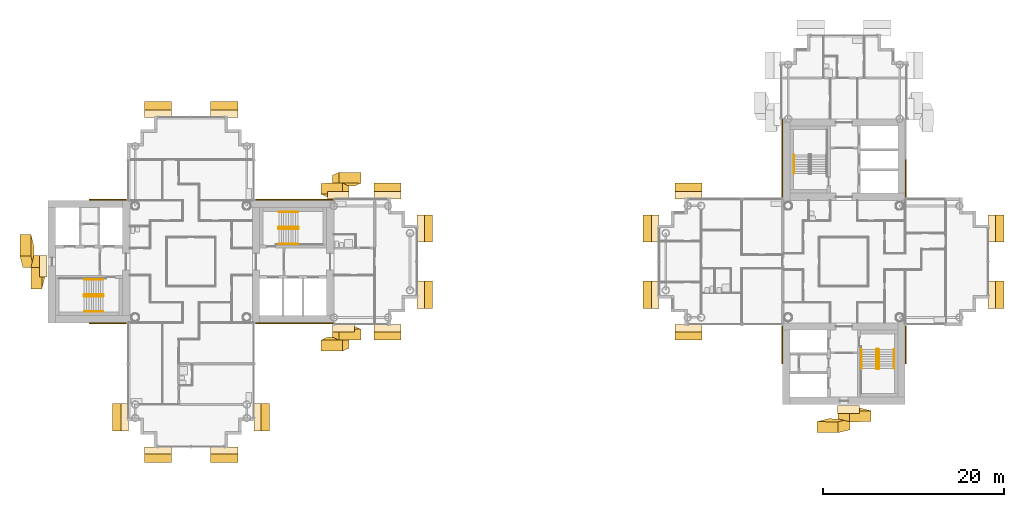
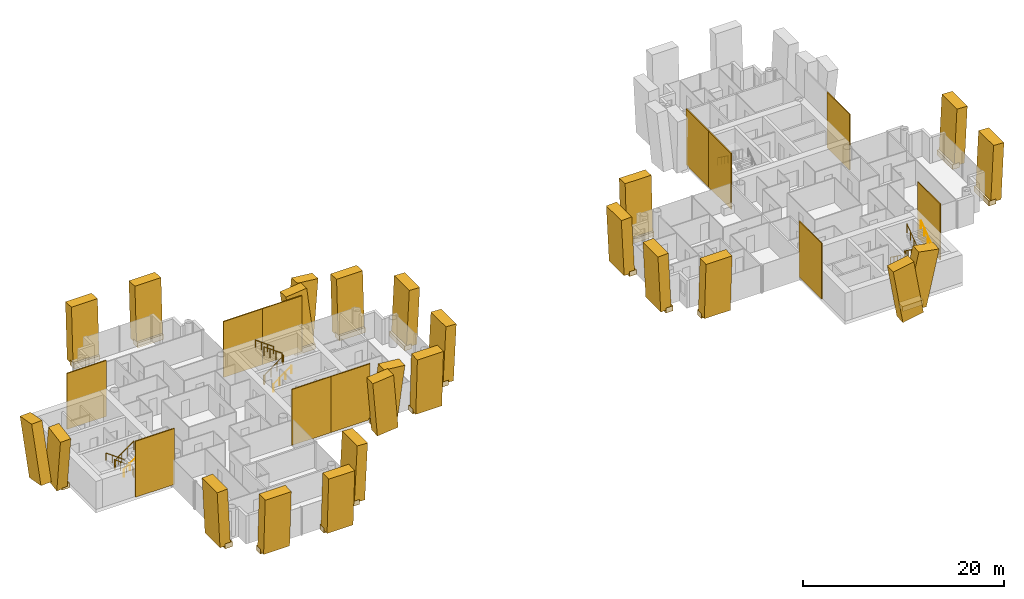
# One storey, part 17 of 19: 55 coverings, 10 railings.
"""IFC4 building model written with IfcOpenShell, lengths in metres."""

from ifc_helpers import new_model, si_unit, direction, frame, origin, origin_2d, place, context, subcontext, project, spatial, rectangle, circle, extrude, material, layer, layer_set, material_profile, profile_set, type_object, element, save


model = new_model("IFC4")

# Units and contexts
model_context = context("Model", 3, precision=1e-05, world=origin(), true_north=direction((0.0, 1.0)))
body_context = subcontext(model_context, "Body", "Model", "MODEL_VIEW")
ifc_project = project(units=[si_unit("LENGTHUNIT", "METRE"), si_unit("AREAUNIT", "SQUARE_METRE"), si_unit("VOLUMEUNIT", "CUBIC_METRE"), si_unit("PLANEANGLEUNIT", "RADIAN"), si_unit("MASSUNIT", "GRAM", prefix="KILO")], contexts=[model_context])

# Site, building, storey
site_placement = place(None, origin())
site = spatial("IfcSite", under=ifc_project, at=site_placement, CompositionType="ELEMENT")
building_placement = place(site_placement, origin())
building = spatial("IfcBuilding", under=site, at=building_placement, Name="Ipe Terrace Towers", CompositionType="ELEMENT")
storey_placement = place(building_placement, frame((0.0, 0.0, 157.5)))
storey = spatial("IfcBuildingStorey", under=building, at=storey_placement, Name="L43", CompositionType="ELEMENT", Elevation=157.5)

# Coverings
ifc_material_1 = material(Name="Concrete C50/60 precast, buff finish", Category="concrete")
ifc_layer = layer(ifc_material_1, 0.1201171875)
ifc_layer_set = layer_set([ifc_layer], Name="STONE CORE CLADDING 120")
covering_type_1 = type_object("IfcCoveringType", Name="STONE CORE CLADDING 120", PredefinedType="CLADDING", material=ifc_layer_set)
for number, where, z_axis, x_axis, name in (
    (1, (-45.0, -6.81005859375, 0.0), (0.0, 0.0, 1.0), (1.0, 0.0, 0.0), "stone core cladding"),
    (2, (-45.0, 6.81005859375, 0.0), (0.0, 0.0, 1.0), (-1.0, 0.0, 0.0), "stone core cladding"),
    (3, (-27.0, -6.81005859375, 0.0), (0.0, 0.0, 1.0), (1.0, 0.0, 0.0), "stone core cladding"),
):
    element("IfcCovering", number, at=place(storey_placement, frame(where, z_axis=z_axis, x_axis=x_axis)), inside=storey, type_object=covering_type_1, Name=name, PredefinedType="CLADDING", context=body_context, shape_type="SweptSolid", body=[
        extrude(rectangle(XDim=4.5, YDim=0.1201171875, at=origin_2d()), origin(), (0.0, 0.0, 1.0), 6.800048828125),
    ])
covering_1_placement = place(storey_placement, frame((-22.4990234375, -6.81005859375, 0.0), z_axis=(0.0, 0.0, 1.0), x_axis=(1.0, 0.0, 0.0)))
element("IfcCovering", 4, at=covering_1_placement, inside=storey, type_object=covering_type_1, Name="stone core cladding", PredefinedType="CLADDING", context=body_context, shape_type="SweptSolid", body=[
    extrude(rectangle(XDim=4.5009765625, YDim=0.1201171875, at=origin_2d()), origin(), (0.0, 0.0, 1.0), 6.800048828125),
])
covering_2_placement = place(storey_placement, frame((-27.0, 6.81005859375, 0.0), z_axis=(0.0, 0.0, 1.0), x_axis=(-1.0, 0.0, 0.0)))
element("IfcCovering", 5, at=covering_2_placement, inside=storey, type_object=covering_type_1, Name="stone core cladding", PredefinedType="CLADDING", context=body_context, shape_type="SweptSolid", body=[
    extrude(rectangle(XDim=4.5, YDim=0.1201171875, at=origin_2d()), origin(), (0.0, 0.0, 1.0), 6.800048828125),
])
covering_3_placement = place(storey_placement, frame((-22.4990234375, 6.81005859375, 0.0), z_axis=(0.0, 0.0, 1.0), x_axis=(-1.0, 0.0, 0.0)))
element("IfcCovering", 6, at=covering_3_placement, inside=storey, type_object=covering_type_1, Name="stone core cladding", PredefinedType="CLADDING", context=body_context, shape_type="SweptSolid", body=[
    extrude(rectangle(XDim=4.5009765625, YDim=0.1201171875, at=origin_2d()), origin(), (0.0, 0.0, 1.0), 6.800048828125),
])
for number, where, z_axis, x_axis, name in (
    (7, (29.18994140625, -9.0, 0.0), (0.0, 0.0, 1.0), (0.0, -1.0, 0.0), "stone core cladding"),
    (8, (29.18994140625, 9.0, 0.0), (0.0, 0.0, 1.0), (0.0, -1.0, 0.0), "stone core cladding"),
):
    element("IfcCovering", number, at=place(storey_placement, frame(where, z_axis=z_axis, x_axis=x_axis)), inside=storey, type_object=covering_type_1, Name=name, PredefinedType="CLADDING", context=body_context, shape_type="SweptSolid", body=[
        extrude(rectangle(XDim=4.5, YDim=0.1201171875, at=origin_2d()), origin(), (0.0, 0.0, 1.0), 6.800048828125),
    ])
covering_4_placement = place(storey_placement, frame((29.18994140625, 13.5, 0.0), z_axis=(0.0, 0.0, 1.0), x_axis=(0.0, -1.0, 0.0)))
element("IfcCovering", 9, at=covering_4_placement, inside=storey, type_object=covering_type_1, Name="stone core cladding", PredefinedType="CLADDING", context=body_context, shape_type="SweptSolid", body=[
    extrude(rectangle(XDim=4.5009765625, YDim=0.1201171875, at=origin_2d()), origin(), (0.0, 0.0, 1.0), 6.800048828125),
])
for number, where, z_axis, x_axis, name in (
    (10, (42.81005859375, -9.0, 0.0), (0.0, 0.0, 1.0), (0.0, 1.0, 0.0), "stone core cladding"),
    (11, (42.81005859375, 9.0, 0.0), (0.0, 0.0, 1.0), (0.0, 1.0, 0.0), "stone core cladding"),
):
    element("IfcCovering", number, at=place(storey_placement, frame(where, z_axis=z_axis, x_axis=x_axis)), inside=storey, type_object=covering_type_1, Name=name, PredefinedType="CLADDING", context=body_context, shape_type="SweptSolid", body=[
        extrude(rectangle(XDim=4.5, YDim=0.1201171875, at=origin_2d()), origin(), (0.0, 0.0, 1.0), 6.800048828125),
    ])
ifc_material_2 = material(Name="Concrete C50/60 precast, buff finish", Category="concrete")
ifc_material_profile_1 = material_profile(ifc_material_2, rectangle(XDim=2.39990234375, YDim=1.199951171875, at=origin_2d()), Name="STONE FIN 2400 x 1200")
ifc_profile_set_1 = profile_set([ifc_material_profile_1], Name="Concrete C50/60 precast, buff finish")
covering_type_2 = type_object("IfcCoveringType", Name="STONE FIN 2400 x 1200", PredefinedType="USERDEFINED", material=ifc_profile_set_1)
for number, where, z_axis, x_axis, name in (
    (12, (-19.759033203125, -8.927978515625, 0.0), (-0.105028312998, -0.047610457675, 0.993328897087), (0.994469232037, -0.005028256175, 0.104907879451), "stone fin"),
    (13, (-19.759033203125, 7.72802734375, 0.0), (-0.105028312998, 0.047610457675, 0.993328897087), (-0.994469232037, -0.005028256175, -0.104907879451), "stone fin"),
    (14, (-19.19091796875, -7.72802734375, 0.0), (0.105028312998, -0.047610457675, 0.993328897087), (0.994469232037, 0.005028256175, -0.104907879451), "stone fin"),
    (15, (-19.19091796875, 8.927978515625, 0.0), (0.105028312998, 0.047610457675, 0.993328897087), (-0.994469232037, 0.005028256175, 0.104907879451), "stone fin"),
):
    element("IfcCovering", number, at=place(storey_placement, frame(where, z_axis=z_axis, x_axis=x_axis)), inside=storey, type_object=covering_type_2, Name=name, ObjectType="FIN", PredefinedType="USERDEFINED", context=body_context, shape_type="SweptSolid", body=[
        extrude(rectangle(XDim=2.39990234375, YDim=1.199951171875, at=origin_2d()), origin(), (0.0, 0.0, 1.0), 6.845703125),
    ])
for number, where, z_axis, x_axis, name in (
    (16, (-53.927978515625, 0.513916015625, 0.0), (-0.047025485632, 0.187573566283, 0.98112423318), (-0.008980130363, -0.982250557257, 0.187358479997), "stone fin"),
    (17, (-52.72802734375, -0.513916015625, 0.0), (-0.047025485632, -0.187573566283, 0.98112423318), (0.008980130363, -0.982250557257, -0.187358479997), "stone fin"),
    (18, (36.513916015625, -16.72802734375, 0.0), (0.187573566283, -0.047025485632, 0.98112423318), (0.982250557257, 0.008980130363, -0.187358479997), "stone fin"),
    (19, (35.486083984375, -17.927978515625, 0.0), (-0.187573566283, -0.047025485632, 0.98112423318), (0.982250557257, -0.008980130363, 0.187358479997), "stone fin"),
):
    element("IfcCovering", number, at=place(storey_placement, frame(where, z_axis=z_axis, x_axis=x_axis)), inside=storey, type_object=covering_type_2, Name=name, ObjectType="FIN", PredefinedType="USERDEFINED", context=body_context, shape_type="SweptSolid", body=[
        extrude(rectangle(XDim=2.39990234375, YDim=1.199951171875, at=origin_2d()), origin(), (0.0, 0.0, 1.0), 6.930908203125),
    ])
ifc_material_3 = material(Name="Concrete C50/60 precast, buff finish", Category="concrete")
ifc_material_profile_2 = material_profile(ifc_material_3, rectangle(XDim=3.0, YDim=1.199951171875, at=origin_2d()), Name="STONE FIN CORNER 3000 x 1200")
ifc_profile_set_2 = profile_set([ifc_material_profile_2], Name="Concrete C50/60 precast, buff finish")
covering_type_3 = type_object("IfcCoveringType", Name="STONE FIN CORNER 3000 x 1200", PredefinedType="USERDEFINED", material=ifc_profile_set_2)
for number, where, z_axis, x_axis, name in (
    (20, (-10.27197265625, -3.64990234375, 0.0), (0.047875244543, 0.0, 0.998853323046), (0.0, 1.0, 0.0), "stone fin"),
    (21, (-10.27197265625, 3.64990234375, 0.0), (0.047875244543, 0.0, 0.998853323046), (0.0, 1.0, 0.0), "stone fin"),
    (22, (-14.35009765625, -7.72802734375, 0.0), (0.0, -0.047875244543, 0.998853323046), (1.0, 0.0, 0.0), "stone fin"),
    (23, (-14.35009765625, 7.72802734375, 0.0), (0.0, 0.047875244543, 0.998853323046), (-1.0, 0.0, 0.0), "stone fin"),
    (24, (-28.27197265625, -17.14990234375, 0.0), (0.047875244543, 0.0, 0.998853323046), (0.0, 1.0, 0.0), "stone fin"),
    (25, (-32.35009765625, -21.22802734375, 0.0), (0.0, -0.047875244543, 0.998853323046), (1.0, 0.0, 0.0), "stone fin"),
    (26, (-32.35009765625, 16.72802734375, 0.0), (0.0, 0.047875244543, 0.998853323046), (-1.0, 0.0, 0.0), "stone fin"),
    (27, (-39.64990234375, -21.22802734375, 0.0), (0.0, -0.047875244543, 0.998853323046), (1.0, 0.0, 0.0), "stone fin"),
    (28, (-39.64990234375, 16.72802734375, 0.0), (0.0, 0.047875244543, 0.998853323046), (-1.0, 0.0, 0.0), "stone fin"),
    (29, (-43.72802734375, -17.14990234375, 0.0), (-0.047875244543, 0.0, 0.998853323046), (0.0, -1.0, 0.0), "stone fin"),
    (30, (14.77197265625, -3.64990234375, 0.0), (-0.047875244543, 0.0, 0.998853323046), (0.0, -1.0, 0.0), "stone fin"),
    (31, (14.77197265625, 3.64990234375, 0.0), (-0.047875244543, 0.0, 0.998853323046), (0.0, -1.0, 0.0), "stone fin"),
    (32, (18.85009765625, -7.72802734375, 0.0), (0.0, -0.047875244543, 0.998853323046), (1.0, 0.0, 0.0), "stone fin"),
    (33, (18.85009765625, 7.72802734375, 0.0), (0.0, 0.047875244543, 0.998853323046), (-1.0, 0.0, 0.0), "stone fin"),
    (34, (52.72802734375, -3.64990234375, 0.0), (0.047875244543, 0.0, 0.998853323046), (0.0, 1.0, 0.0), "stone fin"),
    (35, (52.72802734375, 3.64990234375, 0.0), (0.047875244543, 0.0, 0.998853323046), (0.0, 1.0, 0.0), "stone fin"),
):
    element("IfcCovering", number, at=place(storey_placement, frame(where, z_axis=z_axis, x_axis=x_axis)), inside=storey, type_object=covering_type_3, Name=name, ObjectType="FIN", PredefinedType="USERDEFINED", context=body_context, shape_type="SweptSolid", body=[
        extrude(rectangle(XDim=3.0, YDim=1.199951171875, at=origin_2d()), origin(), (0.0, 0.0, 1.0), 6.807861328125),
    ])
ifc_material_4 = material(Name="Concrete C50/60 precast, buff finish", Category="concrete")
covering_type_4 = type_object("IfcCoveringType", Name="STONE FIN SHELF 2400 x 600", PredefinedType="CLADDING", material=ifc_material_4)
for number, where, z_axis, x_axis, name in (
    (36, (-19.759033203125, 7.322021484375, -0.35009765625), (0.0, 0.0, 1.0), (-1.0, 0.0, 0.0), "stone fin shelf"),
    (37, (-19.19091796875, -7.322021484375, -0.35009765625), (0.0, 0.0, 1.0), (1.0, 0.0, 0.0), "stone fin shelf"),
):
    element("IfcCovering", number, at=place(storey_placement, frame(where, z_axis=z_axis, x_axis=x_axis)), inside=storey, type_object=covering_type_4, Name=name, PredefinedType="CLADDING", context=body_context, shape_type="SweptSolid", body=[
        extrude(rectangle(XDim=2.39990234375, YDim=0.81201171875, at=origin_2d()), origin(), (0.0, 0.0, 1.0), 0.60009765625),
    ])
for number, where, z_axis, x_axis, name in (
    (38, (-52.2939453125, -0.513916015625, -0.35009765625), (0.0, 0.0, 1.0), (0.0, -1.0, 0.0), "stone fin shelf"),
    (39, (36.513916015625, -16.2939453125, -0.35009765625), (0.0, 0.0, 1.0), (1.0, 0.0, 0.0), "stone fin shelf"),
):
    element("IfcCovering", number, at=place(storey_placement, frame(where, z_axis=z_axis, x_axis=x_axis)), inside=storey, type_object=covering_type_4, Name=name, PredefinedType="CLADDING", context=body_context, shape_type="SweptSolid", body=[
        extrude(rectangle(XDim=2.39990234375, YDim=0.867919921875, at=origin_2d()), origin(), (0.0, 0.0, 1.0), 0.60009765625),
    ])
ifc_material_5 = material(Name="Concrete C50/60 precast, buff finish", Category="concrete")
covering_type_5 = type_object("IfcCoveringType", Name="STONE FIN SHELF 3000 x 600", PredefinedType="CLADDING", material=ifc_material_5)
for number, where, z_axis, x_axis, name in (
    (40, (-10.677978515625, -3.64990234375, -0.35009765625), (0.0, 0.0, 1.0), (0.0, 1.0, 0.0), "stone fin shelf"),
    (41, (-10.677978515625, 3.64990234375, -0.35009765625), (0.0, 0.0, 1.0), (0.0, 1.0, 0.0), "stone fin shelf"),
    (42, (-14.35009765625, -7.322021484375, -0.35009765625), (0.0, 0.0, 1.0), (1.0, 0.0, 0.0), "stone fin shelf"),
    (43, (-14.35009765625, 7.322021484375, -0.35009765625), (0.0, 0.0, 1.0), (-1.0, 0.0, 0.0), "stone fin shelf"),
    (44, (-28.677978515625, -17.14990234375, -0.35009765625), (0.0, 0.0, 1.0), (0.0, 1.0, 0.0), "stone fin shelf"),
    (45, (-32.35009765625, -20.822021484375, -0.35009765625), (0.0, 0.0, 1.0), (1.0, 0.0, 0.0), "stone fin shelf"),
    (46, (-32.35009765625, 16.322021484375, -0.35009765625), (0.0, 0.0, 1.0), (-1.0, 0.0, 0.0), "stone fin shelf"),
    (47, (-39.64990234375, -20.822021484375, -0.35009765625), (0.0, 0.0, 1.0), (1.0, 0.0, 0.0), "stone fin shelf"),
    (48, (-39.64990234375, 16.322021484375, -0.35009765625), (0.0, 0.0, 1.0), (-1.0, 0.0, 0.0), "stone fin shelf"),
    (49, (-43.322021484375, -17.14990234375, -0.35009765625), (0.0, 0.0, 1.0), (0.0, -1.0, 0.0), "stone fin shelf"),
    (50, (15.177978515625, -3.64990234375, -0.35009765625), (0.0, 0.0, 1.0), (0.0, -1.0, 0.0), "stone fin shelf"),
    (51, (15.177978515625, 3.64990234375, -0.35009765625), (0.0, 0.0, 1.0), (0.0, -1.0, 0.0), "stone fin shelf"),
    (52, (18.85009765625, -7.322021484375, -0.35009765625), (0.0, 0.0, 1.0), (1.0, 0.0, 0.0), "stone fin shelf"),
    (53, (18.85009765625, 7.322021484375, -0.35009765625), (0.0, 0.0, 1.0), (-1.0, 0.0, 0.0), "stone fin shelf"),
    (54, (52.322021484375, -3.64990234375, -0.35009765625), (0.0, 0.0, 1.0), (0.0, 1.0, 0.0), "stone fin shelf"),
    (55, (52.322021484375, 3.64990234375, -0.35009765625), (0.0, 0.0, 1.0), (0.0, 1.0, 0.0), "stone fin shelf"),
):
    element("IfcCovering", number, at=place(storey_placement, frame(where, z_axis=z_axis, x_axis=x_axis)), inside=storey, type_object=covering_type_5, Name=name, PredefinedType="CLADDING", context=body_context, shape_type="SweptSolid", body=[
        extrude(rectangle(XDim=3.0, YDim=0.81201171875, at=origin_2d()), origin(), (0.0, 0.0, 1.0), 0.60009765625),
    ])

# Railings
ifc_material_6 = material(Name="Steel S355", Category="steel")
railing_type_1 = type_object("IfcRailingType", Name="Stair guard 1100", PredefinedType="GUARDRAIL", material=ifc_material_6)
railing_1_placement = place(storey_placement, frame((-26.35009765625, 3.800048828125, 0.0)))
element("IfcRailing", 56, at=railing_1_placement, inside=storey, type_object=railing_type_1, Name="L43 T1-ST1 stair guard 1", PredefinedType="GUARDRAIL", context=body_context, shape_type="SweptSolid", body=[
    extrude(circle(Radius=0.02392578125, at=origin_2d()), frame((0.0, 0.0, 1.076171875), z_axis=(0.0, -1.0, 0.0), x_axis=(1.0, 0.0, 0.0)), (0.0, 0.0, 1.0), 0.150146484375),
    extrude(circle(Radius=0.02392578125, at=origin_2d()), frame((0.0, -0.150146484375, 1.076171875), z_axis=(0.248103849378, -0.246893586699, 0.936743314239), x_axis=(0.705375805398, 0.708833529934, 0.0)), (0.0, 0.0, 1.0), 0.20166015625),
    extrude(circle(Radius=0.02392578125, at=origin_2d()), frame((0.050048828125, -0.199951171875, 1.26513671875), z_axis=(0.809068575486, 0.0, 0.587714250432), x_axis=(0.0, 1.0, 0.0)), (0.0, 0.0, 1.0), 2.571044921875),
    extrude(circle(Radius=0.02392578125, at=origin_2d()), frame((2.130126953125, -0.199951171875, 2.77587890625), z_axis=(0.708833529934, 0.705375805398, 0.0), x_axis=(-0.705375805398, 0.708833529934, 0.0)), (0.0, 0.0, 1.0), 0.070556640625),
    extrude(circle(Radius=0.02392578125, at=origin_2d()), frame((2.18017578125, -0.150146484375, 2.77587890625), z_axis=(0.0, 1.0, 0.0), x_axis=(-1.0, 0.0, 0.0)), (0.0, 0.0, 1.0), 0.150146484375),
    extrude(circle(Radius=0.02392578125, at=origin_2d()), frame((2.18017578125, 0.0, 2.77587890625), z_axis=(-0.248029566107, 0.248029566107, 0.936462849596), x_axis=(-0.707106781187, -0.707106781187, 0.0)), (0.0, 0.0, 1.0), 0.201904296875),
    extrude(circle(Radius=0.02392578125, at=origin_2d()), frame((2.130126953125, 0.050048828125, 2.96484375), z_axis=(-0.809068575486, 0.0, 0.587714250432), x_axis=(0.0, -1.0, 0.0)), (0.0, 0.0, 1.0), 2.571044921875),
    extrude(circle(Radius=0.02099609375, at=origin_2d()), origin(), (0.0, 0.0, 1.0), 1.052001953125),
    extrude(circle(Radius=0.02099609375, at=origin_2d()), frame((0.0, -0.150146484375, 0.0)), (0.0, 0.0, 1.0), 1.052001953125),
    extrude(circle(Radius=0.02099609375, at=origin_2d()), frame((0.050048828125, -0.199951171875, 0.18896484375)), (0.0, 0.0, 1.0), 1.052001953125),
    extrude(circle(Radius=0.02099609375, at=origin_2d()), frame((0.743408203125, -0.199951171875, 0.692626953125)), (0.0, 0.0, 1.0), 1.052001953125),
    extrude(circle(Radius=0.02099609375, at=origin_2d()), frame((1.436767578125, -0.199951171875, 1.1962890625)), (0.0, 0.0, 1.0), 1.052001953125),
    extrude(circle(Radius=0.02099609375, at=origin_2d()), frame((2.130126953125, -0.199951171875, 1.699951171875)), (0.0, 0.0, 1.0), 1.052001953125),
    extrude(circle(Radius=0.02099609375, at=origin_2d()), frame((2.18017578125, -0.150146484375, 1.699951171875)), (0.0, 0.0, 1.0), 1.052001953125),
    extrude(circle(Radius=0.02099609375, at=origin_2d()), frame((2.18017578125, 0.0, 1.699951171875)), (0.0, 0.0, 1.0), 1.052001953125),
    extrude(circle(Radius=0.02099609375, at=origin_2d()), frame((2.130126953125, 0.050048828125, 1.888916015625)), (0.0, 0.0, 1.0), 1.052001953125),
    extrude(circle(Radius=0.02099609375, at=origin_2d()), frame((1.436767578125, 0.050048828125, 2.392578125)), (0.0, 0.0, 1.0), 1.052001953125),
    extrude(circle(Radius=0.02099609375, at=origin_2d()), frame((0.743408203125, 0.050048828125, 2.896240234375)), (0.0, 0.0, 1.0), 1.052001953125),
    extrude(circle(Radius=0.02099609375, at=origin_2d()), frame((0.050048828125, 0.050048828125, 3.39990234375)), (0.0, 0.0, 1.0), 1.052001953125),
])
railing_2_placement = place(storey_placement, frame((-45.64990234375, -3.800048828125, 0.0)))
element("IfcRailing", 57, at=railing_2_placement, inside=storey, type_object=railing_type_1, Name="L43 T1-ST2 stair guard 1", PredefinedType="GUARDRAIL", context=body_context, shape_type="SweptSolid", body=[
    extrude(circle(Radius=0.02392578125, at=origin_2d()), frame((0.0, 0.0, 1.076171875), z_axis=(0.0, 1.0, 0.0), x_axis=(-1.0, 0.0, 0.0)), (0.0, 0.0, 1.0), 0.150146484375),
    extrude(circle(Radius=0.02392578125, at=origin_2d()), frame((0.0, 0.150146484375, 1.076171875), z_axis=(-0.248103849378, 0.246893586699, 0.936743314239), x_axis=(-0.705375805398, -0.708833529934, 0.0)), (0.0, 0.0, 1.0), 0.20166015625),
    extrude(circle(Radius=0.02392578125, at=origin_2d()), frame((-0.050048828125, 0.199951171875, 1.26513671875), z_axis=(-0.809068575486, 0.0, 0.587714250432), x_axis=(0.0, -1.0, 0.0)), (0.0, 0.0, 1.0), 2.571044921875),
    extrude(circle(Radius=0.02392578125, at=origin_2d()), frame((-2.130126953125, 0.199951171875, 2.77587890625), z_axis=(-0.708833529934, -0.705375805398, 0.0), x_axis=(0.705375805398, -0.708833529934, 0.0)), (0.0, 0.0, 1.0), 0.070556640625),
    extrude(circle(Radius=0.02392578125, at=origin_2d()), frame((-2.18017578125, 0.150146484375, 2.77587890625), z_axis=(0.0, -1.0, 0.0), x_axis=(1.0, 0.0, 0.0)), (0.0, 0.0, 1.0), 0.150146484375),
    extrude(circle(Radius=0.02392578125, at=origin_2d()), frame((-2.18017578125, 0.0, 2.77587890625), z_axis=(0.248029566107, -0.248029566107, 0.936462849596), x_axis=(0.707106781187, 0.707106781187, 0.0)), (0.0, 0.0, 1.0), 0.201904296875),
    extrude(circle(Radius=0.02392578125, at=origin_2d()), frame((-2.130126953125, -0.050048828125, 2.96484375), z_axis=(0.809068575486, 0.0, 0.587714250432), x_axis=(0.0, 1.0, 0.0)), (0.0, 0.0, 1.0), 2.571044921875),
    extrude(circle(Radius=0.02099609375, at=origin_2d()), origin(), (0.0, 0.0, 1.0), 1.052001953125),
    extrude(circle(Radius=0.02099609375, at=origin_2d()), frame((0.0, 0.150146484375, 0.0)), (0.0, 0.0, 1.0), 1.052001953125),
    extrude(circle(Radius=0.02099609375, at=origin_2d()), frame((-0.050048828125, 0.199951171875, 0.18896484375)), (0.0, 0.0, 1.0), 1.052001953125),
    extrude(circle(Radius=0.02099609375, at=origin_2d()), frame((-0.743408203125, 0.199951171875, 0.692626953125)), (0.0, 0.0, 1.0), 1.052001953125),
    extrude(circle(Radius=0.02099609375, at=origin_2d()), frame((-1.436767578125, 0.199951171875, 1.1962890625)), (0.0, 0.0, 1.0), 1.052001953125),
    extrude(circle(Radius=0.02099609375, at=origin_2d()), frame((-2.130126953125, 0.199951171875, 1.699951171875)), (0.0, 0.0, 1.0), 1.052001953125),
    extrude(circle(Radius=0.02099609375, at=origin_2d()), frame((-2.18017578125, 0.150146484375, 1.699951171875)), (0.0, 0.0, 1.0), 1.052001953125),
    extrude(circle(Radius=0.02099609375, at=origin_2d()), frame((-2.18017578125, 0.0, 1.699951171875)), (0.0, 0.0, 1.0), 1.052001953125),
    extrude(circle(Radius=0.02099609375, at=origin_2d()), frame((-2.130126953125, -0.050048828125, 1.888916015625)), (0.0, 0.0, 1.0), 1.052001953125),
    extrude(circle(Radius=0.02099609375, at=origin_2d()), frame((-1.436767578125, -0.050048828125, 2.392578125)), (0.0, 0.0, 1.0), 1.052001953125),
    extrude(circle(Radius=0.02099609375, at=origin_2d()), frame((-0.743408203125, -0.050048828125, 2.896240234375)), (0.0, 0.0, 1.0), 1.052001953125),
    extrude(circle(Radius=0.02099609375, at=origin_2d()), frame((-0.050048828125, -0.050048828125, 3.39990234375)), (0.0, 0.0, 1.0), 1.052001953125),
])
railing_3_placement = place(storey_placement, frame((39.800048828125, -9.64990234375, 0.0)))
element("IfcRailing", 58, at=railing_3_placement, inside=storey, type_object=railing_type_1, Name="L43 T2-ST2 stair guard 1", PredefinedType="GUARDRAIL", context=body_context, shape_type="SweptSolid", body=[
    extrude(circle(Radius=0.02392578125, at=origin_2d()), frame((0.0, 0.0, 1.076171875), z_axis=(-1.0, 0.0, 0.0), x_axis=(0.0, -1.0, 0.0)), (0.0, 0.0, 1.0), 0.150146484375),
    extrude(circle(Radius=0.02392578125, at=origin_2d()), frame((-0.150146484375, 0.0, 1.076171875), z_axis=(-0.246893586699, -0.248103849378, 0.936743314239), x_axis=(0.708833529934, -0.705375805398, 0.0)), (0.0, 0.0, 1.0), 0.20166015625),
    extrude(circle(Radius=0.02392578125, at=origin_2d()), frame((-0.199951171875, -0.050048828125, 1.26513671875), z_axis=(0.0, -0.809068575486, 0.587714250432), x_axis=(1.0, 0.0, 0.0)), (0.0, 0.0, 1.0), 2.571044921875),
    extrude(circle(Radius=0.02392578125, at=origin_2d()), frame((-0.199951171875, -2.130126953125, 2.77587890625), z_axis=(0.705375805398, -0.708833529934, 0.0), x_axis=(0.708833529934, 0.705375805398, 0.0)), (0.0, 0.0, 1.0), 0.070556640625),
    extrude(circle(Radius=0.02392578125, at=origin_2d()), frame((-0.150146484375, -2.18017578125, 2.77587890625), z_axis=(1.0, 0.0, 0.0), x_axis=(0.0, 1.0, 0.0)), (0.0, 0.0, 1.0), 0.150146484375),
    extrude(circle(Radius=0.02392578125, at=origin_2d()), frame((0.0, -2.18017578125, 2.77587890625), z_axis=(0.248029566107, 0.248029566107, 0.936462849596), x_axis=(-0.707106781187, 0.707106781187, 0.0)), (0.0, 0.0, 1.0), 0.201904296875),
    extrude(circle(Radius=0.02392578125, at=origin_2d()), frame((0.050048828125, -2.130126953125, 2.96484375), z_axis=(0.0, 0.809068575486, 0.587714250432), x_axis=(-1.0, 0.0, 0.0)), (0.0, 0.0, 1.0), 2.571044921875),
    extrude(circle(Radius=0.02099609375, at=origin_2d()), origin(), (0.0, 0.0, 1.0), 1.052001953125),
    extrude(circle(Radius=0.02099609375, at=origin_2d()), frame((-0.150146484375, 0.0, 0.0)), (0.0, 0.0, 1.0), 1.052001953125),
    extrude(circle(Radius=0.02099609375, at=origin_2d()), frame((-0.199951171875, -0.050048828125, 0.18896484375)), (0.0, 0.0, 1.0), 1.052001953125),
    extrude(circle(Radius=0.02099609375, at=origin_2d()), frame((-0.199951171875, -0.743408203125, 0.692626953125)), (0.0, 0.0, 1.0), 1.052001953125),
    extrude(circle(Radius=0.02099609375, at=origin_2d()), frame((-0.199951171875, -1.436767578125, 1.1962890625)), (0.0, 0.0, 1.0), 1.052001953125),
    extrude(circle(Radius=0.02099609375, at=origin_2d()), frame((-0.199951171875, -2.130126953125, 1.699951171875)), (0.0, 0.0, 1.0), 1.052001953125),
    extrude(circle(Radius=0.02099609375, at=origin_2d()), frame((-0.150146484375, -2.18017578125, 1.699951171875)), (0.0, 0.0, 1.0), 1.052001953125),
    extrude(circle(Radius=0.02099609375, at=origin_2d()), frame((0.0, -2.18017578125, 1.699951171875)), (0.0, 0.0, 1.0), 1.052001953125),
    extrude(circle(Radius=0.02099609375, at=origin_2d()), frame((0.050048828125, -2.130126953125, 1.888916015625)), (0.0, 0.0, 1.0), 1.052001953125),
    extrude(circle(Radius=0.02099609375, at=origin_2d()), frame((0.050048828125, -1.436767578125, 2.392578125)), (0.0, 0.0, 1.0), 1.052001953125),
    extrude(circle(Radius=0.02099609375, at=origin_2d()), frame((0.050048828125, -0.743408203125, 2.896240234375)), (0.0, 0.0, 1.0), 1.052001953125),
    extrude(circle(Radius=0.02099609375, at=origin_2d()), frame((0.050048828125, -0.050048828125, 3.39990234375)), (0.0, 0.0, 1.0), 1.052001953125),
])
ifc_material_7 = material(Name="Stainless steel grade 304", Category="steel")
railing_type_2 = type_object("IfcRailingType", Name="Stair handrail 900", PredefinedType="HANDRAIL", material=ifc_material_7)
railing_4_placement = place(storey_placement, frame((-26.300048828125, 1.949951171875, 0.18896484375)))
element("IfcRailing", 59, at=railing_4_placement, inside=storey, type_object=railing_type_2, Name="L43 T1-ST1 stair handrail 1", PredefinedType="HANDRAIL", context=body_context, shape_type="SweptSolid", body=[
    extrude(circle(Radius=0.02392578125, at=origin_2d()), frame((0.0, 0.0, 0.8759765625), z_axis=(0.809068575486, 0.0, 0.587714250432), x_axis=(0.0, 1.0, 0.0)), (0.0, 0.0, 1.0), 2.571044921875),
    extrude(circle(Radius=0.02099609375, at=origin_2d()), origin(), (0.0, 0.0, 1.0), 0.851806640625),
    extrude(circle(Radius=0.02099609375, at=origin_2d()), frame((0.693359375, 0.0, 0.503662109375)), (0.0, 0.0, 1.0), 0.851806640625),
    extrude(circle(Radius=0.02099609375, at=origin_2d()), frame((1.38671875, 0.0, 1.00732421875)), (0.0, 0.0, 1.0), 0.851806640625),
    extrude(circle(Radius=0.02099609375, at=origin_2d()), frame((2.080078125, 0.0, 1.510986328125)), (0.0, 0.0, 1.0), 0.851806640625),
])
for number, where, name in (
    (60, (-24.219970703125, 5.5, 1.888916015625), "L43 T1-ST1 stair handrail 2"),
    (61, (-45.699951171875, -1.949951171875, 0.18896484375), "L43 T1-ST2 stair handrail 1"),
):
    element("IfcRailing", number, at=place(storey_placement, frame(where)), inside=storey, type_object=railing_type_2, Name=name, PredefinedType="HANDRAIL", context=body_context, shape_type="SweptSolid", body=[
        extrude(circle(Radius=0.02392578125, at=origin_2d()), frame((0.0, 0.0, 0.8759765625), z_axis=(-0.809068575486, 0.0, 0.587714250432), x_axis=(0.0, -1.0, 0.0)), (0.0, 0.0, 1.0), 2.571044921875),
        extrude(circle(Radius=0.02099609375, at=origin_2d()), origin(), (0.0, 0.0, 1.0), 0.851806640625),
        extrude(circle(Radius=0.02099609375, at=origin_2d()), frame((-0.693359375, 0.0, 0.503662109375)), (0.0, 0.0, 1.0), 0.851806640625),
        extrude(circle(Radius=0.02099609375, at=origin_2d()), frame((-1.38671875, 0.0, 1.00732421875)), (0.0, 0.0, 1.0), 0.851806640625),
        extrude(circle(Radius=0.02099609375, at=origin_2d()), frame((-2.080078125, 0.0, 1.510986328125)), (0.0, 0.0, 1.0), 0.851806640625),
    ])
railing_5_placement = place(storey_placement, frame((-47.780029296875, -5.5, 1.888916015625)))
element("IfcRailing", 62, at=railing_5_placement, inside=storey, type_object=railing_type_2, Name="L43 T1-ST2 stair handrail 2", PredefinedType="HANDRAIL", context=body_context, shape_type="SweptSolid", body=[
    extrude(circle(Radius=0.02392578125, at=origin_2d()), frame((0.0, 0.0, 0.8759765625), z_axis=(0.809068575486, 0.0, 0.587714250432), x_axis=(0.0, 1.0, 0.0)), (0.0, 0.0, 1.0), 2.571044921875),
    extrude(circle(Radius=0.02099609375, at=origin_2d()), origin(), (0.0, 0.0, 1.0), 0.851806640625),
    extrude(circle(Radius=0.02099609375, at=origin_2d()), frame((0.693359375, 0.0, 0.503662109375)), (0.0, 0.0, 1.0), 0.851806640625),
    extrude(circle(Radius=0.02099609375, at=origin_2d()), frame((1.38671875, 0.0, 1.00732421875)), (0.0, 0.0, 1.0), 0.851806640625),
    extrude(circle(Radius=0.02099609375, at=origin_2d()), frame((2.080078125, 0.0, 1.510986328125)), (0.0, 0.0, 1.0), 0.851806640625),
])
for number, where, name in (
    (63, (30.5, 11.780029296875, 1.888916015625), "L43 T2-ST1 stair handrail 2"),
    (64, (37.949951171875, -9.699951171875, 0.18896484375), "L43 T2-ST2 stair handrail 1"),
):
    element("IfcRailing", number, at=place(storey_placement, frame(where)), inside=storey, type_object=railing_type_2, Name=name, PredefinedType="HANDRAIL", context=body_context, shape_type="SweptSolid", body=[
        extrude(circle(Radius=0.02392578125, at=origin_2d()), frame((0.0, 0.0, 0.8759765625), z_axis=(0.0, -0.809068575486, 0.587714250432), x_axis=(1.0, 0.0, 0.0)), (0.0, 0.0, 1.0), 2.571044921875),
        extrude(circle(Radius=0.02099609375, at=origin_2d()), origin(), (0.0, 0.0, 1.0), 0.851806640625),
        extrude(circle(Radius=0.02099609375, at=origin_2d()), frame((0.0, -0.693359375, 0.503662109375)), (0.0, 0.0, 1.0), 0.851806640625),
        extrude(circle(Radius=0.02099609375, at=origin_2d()), frame((0.0, -1.38671875, 1.00732421875)), (0.0, 0.0, 1.0), 0.851806640625),
        extrude(circle(Radius=0.02099609375, at=origin_2d()), frame((0.0, -2.080078125, 1.510986328125)), (0.0, 0.0, 1.0), 0.851806640625),
    ])
railing_6_placement = place(storey_placement, frame((41.5, -11.780029296875, 1.888916015625)))
element("IfcRailing", 65, at=railing_6_placement, inside=storey, type_object=railing_type_2, Name="L43 T2-ST2 stair handrail 2", PredefinedType="HANDRAIL", context=body_context, shape_type="SweptSolid", body=[
    extrude(circle(Radius=0.02392578125, at=origin_2d()), frame((0.0, 0.0, 0.8759765625), z_axis=(0.0, 0.809068575486, 0.587714250432), x_axis=(-1.0, 0.0, 0.0)), (0.0, 0.0, 1.0), 2.571044921875),
    extrude(circle(Radius=0.02099609375, at=origin_2d()), origin(), (0.0, 0.0, 1.0), 0.851806640625),
    extrude(circle(Radius=0.02099609375, at=origin_2d()), frame((0.0, 0.693359375, 0.503662109375)), (0.0, 0.0, 1.0), 0.851806640625),
    extrude(circle(Radius=0.02099609375, at=origin_2d()), frame((0.0, 1.38671875, 1.00732421875)), (0.0, 0.0, 1.0), 0.851806640625),
    extrude(circle(Radius=0.02099609375, at=origin_2d()), frame((0.0, 2.080078125, 1.510986328125)), (0.0, 0.0, 1.0), 0.851806640625),
])

save(model, "model.ifc")
